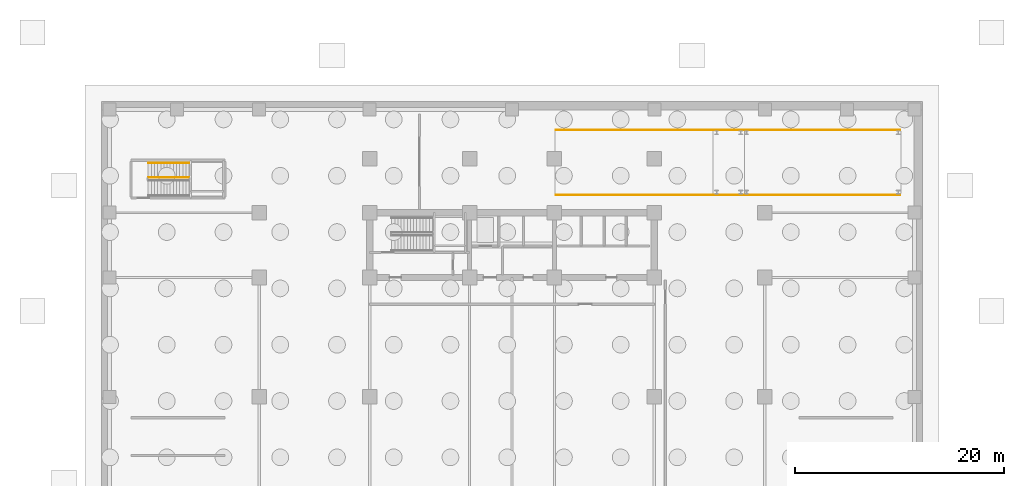
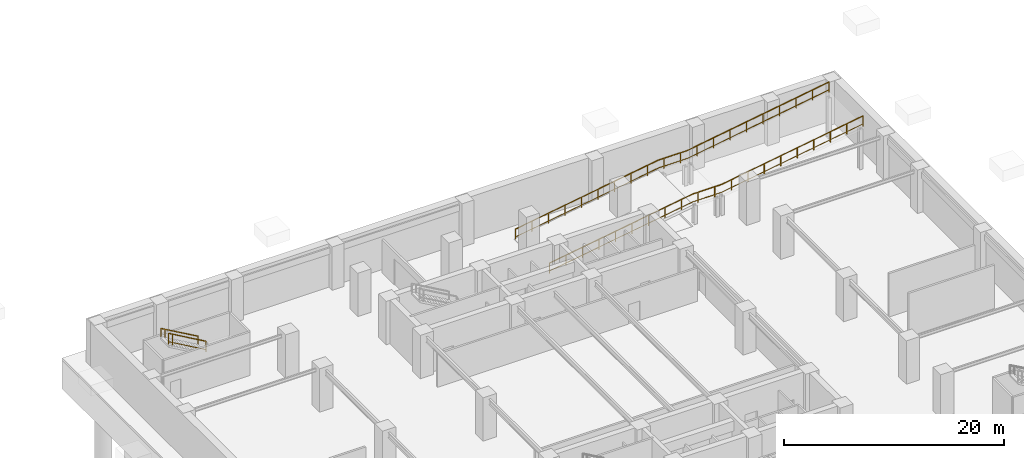
# One storey, part 12 of 13: 4 railings.
"""IFC4 building model written with IfcOpenShell, lengths in metres."""

from ifc_helpers import new_model, si_unit, direction, frame, origin, origin_2d, place, context, subcontext, project, spatial, rectangle, extrude, material, type_object, element, save


model = new_model("IFC4")

# Units and contexts
model_context = context("Model", 3, precision=1e-05, world=origin(), true_north=direction((0.0, 1.0)))
body_context = subcontext(model_context, "Body", "Model", "MODEL_VIEW")
ifc_project = project(units=[si_unit("LENGTHUNIT", "METRE"), si_unit("AREAUNIT", "SQUARE_METRE"), si_unit("VOLUMEUNIT", "CUBIC_METRE"), si_unit("PLANEANGLEUNIT", "RADIAN"), si_unit("MASSUNIT", "GRAM", prefix="KILO")], contexts=[model_context])

# Site, building, storey
site_placement = place(None, origin())
site = spatial("IfcSite", under=ifc_project, at=site_placement, CompositionType="ELEMENT")
building_placement = place(site_placement, origin())
building = spatial("IfcBuilding", under=site, at=building_placement, Name="Svetorya Sky Lyceum", CompositionType="ELEMENT")
storey_placement = place(building_placement, frame((0.0, 0.0, -4.800048828125)))
storey = spatial("IfcBuildingStorey", under=building, at=storey_placement, Name="B01", CompositionType="ELEMENT", Elevation=-4.800048828125)

# Railings
ifc_material_1 = material(Name="Powder-coated galvanized Steel S355", Category="steel")
railing_type_1 = type_object("IfcRailingType", Name="RL-RAMP-1150", PredefinedType="GUARDRAIL", material=ifc_material_1)
railing_1_placement = place(storey_placement, frame((43.39990234375, 47.5, 0.0)))
element("IfcRailing", 1, at=railing_1_placement, inside=storey, type_object=railing_type_1, Name="Vehicle Ramp Guard S", PredefinedType="GUARDRAIL", context=body_context, shape_type="SweptSolid", body=[
    extrude(rectangle(XDim=0.048095703125, YDim=0.048095703125, at=origin_2d()), frame((0.0, 0.0, 1.1259765625), z_axis=(0.98743912751, 0.0, 0.157999903362), x_axis=(0.0, 1.0, 0.0)), (0.0, 0.0, 1.0), 15.19091796875),
    extrude(rectangle(XDim=0.02392578125, YDim=0.02392578125, at=origin_2d()), frame((0.0, 0.0, 0.25), z_axis=(0.98743912751, 0.0, 0.157999903362), x_axis=(0.0, 1.0, 0.0)), (0.0, 0.0, 1.0), 15.19091796875),
    extrude(rectangle(XDim=0.048095703125, YDim=0.048095703125, at=origin_2d()), frame((15.0, 0.0, 3.52587890625), z_axis=(1.0, 0.0, 0.0), x_axis=(0.0, 1.0, 0.0)), (0.0, 0.0, 1.0), 3.0),
    extrude(rectangle(XDim=0.02392578125, YDim=0.02392578125, at=origin_2d()), frame((15.0, 0.0, 2.650146484375), z_axis=(1.0, 0.0, 0.0), x_axis=(0.0, 1.0, 0.0)), (0.0, 0.0, 1.0), 3.0),
    extrude(rectangle(XDim=0.048095703125, YDim=0.048095703125, at=origin_2d()), frame((18.0, 0.0, 3.52587890625), z_axis=(0.987191692616, 0.0, 0.159538591037), x_axis=(0.0, 1.0, 0.0)), (0.0, 0.0, 1.0), 15.042724609375),
    extrude(rectangle(XDim=0.02392578125, YDim=0.02392578125, at=origin_2d()), frame((18.0, 0.0, 2.650146484375), z_axis=(0.987191692616, 0.0, 0.159538591037), x_axis=(0.0, 1.0, 0.0)), (0.0, 0.0, 1.0), 15.042724609375),
    extrude(rectangle(XDim=0.0419921875, YDim=0.0419921875, at=origin_2d()), origin(), (0.0, 0.0, 1.0), 1.101806640625),
    extrude(rectangle(XDim=0.0419921875, YDim=0.0419921875, at=origin_2d()), frame((1.72802734375, 0.0, 0.276611328125)), (0.0, 0.0, 1.0), 1.101806640625),
    extrude(rectangle(XDim=0.0419921875, YDim=0.0419921875, at=origin_2d()), frame((3.4560546875, 0.0, 0.552978515625)), (0.0, 0.0, 1.0), 1.101806640625),
    extrude(rectangle(XDim=0.0419921875, YDim=0.0419921875, at=origin_2d()), frame((5.18408203125, 0.0, 0.82958984375)), (0.0, 0.0, 1.0), 1.101806640625),
    extrude(rectangle(XDim=0.0419921875, YDim=0.0419921875, at=origin_2d()), frame((6.912109375, 0.0, 1.10595703125)), (0.0, 0.0, 1.0), 1.101806640625),
    extrude(rectangle(XDim=0.0419921875, YDim=0.0419921875, at=origin_2d()), frame((8.64013671875, 0.0, 1.382568359375)), (0.0, 0.0, 1.0), 1.101806640625),
    extrude(rectangle(XDim=0.0419921875, YDim=0.0419921875, at=origin_2d()), frame((10.3681640625, 0.0, 1.658935546875)), (0.0, 0.0, 1.0), 1.101806640625),
    extrude(rectangle(XDim=0.0419921875, YDim=0.0419921875, at=origin_2d()), frame((12.09619140625, 0.0, 1.935546875)), (0.0, 0.0, 1.0), 1.101806640625),
    extrude(rectangle(XDim=0.0419921875, YDim=0.0419921875, at=origin_2d()), frame((13.82421875, 0.0, 2.2119140625)), (0.0, 0.0, 1.0), 1.101806640625),
    extrude(rectangle(XDim=0.0419921875, YDim=0.0419921875, at=origin_2d()), frame((15.55908203125, 0.0, 2.400146484375)), (0.0, 0.0, 1.0), 1.101806640625),
    extrude(rectangle(XDim=0.0419921875, YDim=0.0419921875, at=origin_2d()), frame((17.30908203125, 0.0, 2.400146484375)), (0.0, 0.0, 1.0), 1.101806640625),
    extrude(rectangle(XDim=0.0419921875, YDim=0.0419921875, at=origin_2d()), frame((19.045654296875, 0.0, 2.569091796875)), (0.0, 0.0, 1.0), 1.101806640625),
    extrude(rectangle(XDim=0.0419921875, YDim=0.0419921875, at=origin_2d()), frame((20.773193359375, 0.0, 2.848388671875)), (0.0, 0.0, 1.0), 1.101806640625),
    extrude(rectangle(XDim=0.0419921875, YDim=0.0419921875, at=origin_2d()), frame((22.500732421875, 0.0, 3.12744140625)), (0.0, 0.0, 1.0), 1.101806640625),
    extrude(rectangle(XDim=0.0419921875, YDim=0.0419921875, at=origin_2d()), frame((24.228271484375, 0.0, 3.40673828125)), (0.0, 0.0, 1.0), 1.101806640625),
    extrude(rectangle(XDim=0.0419921875, YDim=0.0419921875, at=origin_2d()), frame((25.9560546875, 0.0, 3.685791015625)), (0.0, 0.0, 1.0), 1.101806640625),
    extrude(rectangle(XDim=0.0419921875, YDim=0.0419921875, at=origin_2d()), frame((27.68359375, 0.0, 3.965087890625)), (0.0, 0.0, 1.0), 1.101806640625),
    extrude(rectangle(XDim=0.0419921875, YDim=0.0419921875, at=origin_2d()), frame((29.4111328125, 0.0, 4.244384765625)), (0.0, 0.0, 1.0), 1.101806640625),
    extrude(rectangle(XDim=0.0419921875, YDim=0.0419921875, at=origin_2d()), frame((31.138671875, 0.0, 4.5234375)), (0.0, 0.0, 1.0), 1.101806640625),
    extrude(rectangle(XDim=0.0419921875, YDim=0.0419921875, at=origin_2d()), frame((32.85009765625, 0.0, 4.800048828125)), (0.0, 0.0, 1.0), 1.101806640625),
])
railing_2_placement = place(storey_placement, frame((43.39990234375, 53.699951171875, 0.0)))
element("IfcRailing", 2, at=railing_2_placement, inside=storey, type_object=railing_type_1, Name="Vehicle Ramp Guard N", PredefinedType="GUARDRAIL", context=body_context, shape_type="SweptSolid", body=[
    extrude(rectangle(XDim=0.048095703125, YDim=0.048095703125, at=origin_2d()), frame((0.0, 0.0, 1.1259765625), z_axis=(0.98743912751, 0.0, 0.157999903362), x_axis=(0.0, 1.0, 0.0)), (0.0, 0.0, 1.0), 15.19091796875),
    extrude(rectangle(XDim=0.02392578125, YDim=0.02392578125, at=origin_2d()), frame((0.0, 0.0, 0.25), z_axis=(0.98743912751, 0.0, 0.157999903362), x_axis=(0.0, 1.0, 0.0)), (0.0, 0.0, 1.0), 15.19091796875),
    extrude(rectangle(XDim=0.048095703125, YDim=0.048095703125, at=origin_2d()), frame((15.0, 0.0, 3.52587890625), z_axis=(1.0, 0.0, 0.0), x_axis=(0.0, 1.0, 0.0)), (0.0, 0.0, 1.0), 3.0),
    extrude(rectangle(XDim=0.02392578125, YDim=0.02392578125, at=origin_2d()), frame((15.0, 0.0, 2.650146484375), z_axis=(1.0, 0.0, 0.0), x_axis=(0.0, 1.0, 0.0)), (0.0, 0.0, 1.0), 3.0),
    extrude(rectangle(XDim=0.048095703125, YDim=0.048095703125, at=origin_2d()), frame((18.0, 0.0, 3.52587890625), z_axis=(0.987191692616, 0.0, 0.159538591037), x_axis=(0.0, 1.0, 0.0)), (0.0, 0.0, 1.0), 15.042724609375),
    extrude(rectangle(XDim=0.02392578125, YDim=0.02392578125, at=origin_2d()), frame((18.0, 0.0, 2.650146484375), z_axis=(0.987191692616, 0.0, 0.159538591037), x_axis=(0.0, 1.0, 0.0)), (0.0, 0.0, 1.0), 15.042724609375),
    extrude(rectangle(XDim=0.0419921875, YDim=0.0419921875, at=origin_2d()), origin(), (0.0, 0.0, 1.0), 1.101806640625),
    extrude(rectangle(XDim=0.0419921875, YDim=0.0419921875, at=origin_2d()), frame((1.72802734375, 0.0, 0.276611328125)), (0.0, 0.0, 1.0), 1.101806640625),
    extrude(rectangle(XDim=0.0419921875, YDim=0.0419921875, at=origin_2d()), frame((3.4560546875, 0.0, 0.552978515625)), (0.0, 0.0, 1.0), 1.101806640625),
    extrude(rectangle(XDim=0.0419921875, YDim=0.0419921875, at=origin_2d()), frame((5.18408203125, 0.0, 0.82958984375)), (0.0, 0.0, 1.0), 1.101806640625),
    extrude(rectangle(XDim=0.0419921875, YDim=0.0419921875, at=origin_2d()), frame((6.912109375, 0.0, 1.10595703125)), (0.0, 0.0, 1.0), 1.101806640625),
    extrude(rectangle(XDim=0.0419921875, YDim=0.0419921875, at=origin_2d()), frame((8.64013671875, 0.0, 1.382568359375)), (0.0, 0.0, 1.0), 1.101806640625),
    extrude(rectangle(XDim=0.0419921875, YDim=0.0419921875, at=origin_2d()), frame((10.3681640625, 0.0, 1.658935546875)), (0.0, 0.0, 1.0), 1.101806640625),
    extrude(rectangle(XDim=0.0419921875, YDim=0.0419921875, at=origin_2d()), frame((12.09619140625, 0.0, 1.935546875)), (0.0, 0.0, 1.0), 1.101806640625),
    extrude(rectangle(XDim=0.0419921875, YDim=0.0419921875, at=origin_2d()), frame((13.82421875, 0.0, 2.2119140625)), (0.0, 0.0, 1.0), 1.101806640625),
    extrude(rectangle(XDim=0.0419921875, YDim=0.0419921875, at=origin_2d()), frame((15.55908203125, 0.0, 2.400146484375)), (0.0, 0.0, 1.0), 1.101806640625),
    extrude(rectangle(XDim=0.0419921875, YDim=0.0419921875, at=origin_2d()), frame((17.30908203125, 0.0, 2.400146484375)), (0.0, 0.0, 1.0), 1.101806640625),
    extrude(rectangle(XDim=0.0419921875, YDim=0.0419921875, at=origin_2d()), frame((19.045654296875, 0.0, 2.569091796875)), (0.0, 0.0, 1.0), 1.101806640625),
    extrude(rectangle(XDim=0.0419921875, YDim=0.0419921875, at=origin_2d()), frame((20.773193359375, 0.0, 2.848388671875)), (0.0, 0.0, 1.0), 1.101806640625),
    extrude(rectangle(XDim=0.0419921875, YDim=0.0419921875, at=origin_2d()), frame((22.500732421875, 0.0, 3.12744140625)), (0.0, 0.0, 1.0), 1.101806640625),
    extrude(rectangle(XDim=0.0419921875, YDim=0.0419921875, at=origin_2d()), frame((24.228271484375, 0.0, 3.40673828125)), (0.0, 0.0, 1.0), 1.101806640625),
    extrude(rectangle(XDim=0.0419921875, YDim=0.0419921875, at=origin_2d()), frame((25.9560546875, 0.0, 3.685791015625)), (0.0, 0.0, 1.0), 1.101806640625),
    extrude(rectangle(XDim=0.0419921875, YDim=0.0419921875, at=origin_2d()), frame((27.68359375, 0.0, 3.965087890625)), (0.0, 0.0, 1.0), 1.101806640625),
    extrude(rectangle(XDim=0.0419921875, YDim=0.0419921875, at=origin_2d()), frame((29.4111328125, 0.0, 4.244384765625)), (0.0, 0.0, 1.0), 1.101806640625),
    extrude(rectangle(XDim=0.0419921875, YDim=0.0419921875, at=origin_2d()), frame((31.138671875, 0.0, 4.5234375)), (0.0, 0.0, 1.0), 1.101806640625),
    extrude(rectangle(XDim=0.0419921875, YDim=0.0419921875, at=origin_2d()), frame((32.85009765625, 0.0, 4.800048828125)), (0.0, 0.0, 1.0), 1.101806640625),
])
ifc_material_2 = material(Name="Painted galvanized stair well guard")
railing_type_2 = type_object("IfcRailingType", Name="RL-STR-GUARD-1200", PredefinedType="GUARDRAIL", material=ifc_material_2)
railing_3_placement = place(storey_placement, frame((8.35009765625, 49.14990234375, 2.571533203125)))
element("IfcRailing", 3, at=railing_3_placement, inside=storey, type_object=railing_type_2, Name="B01 ST-B1 stair guard 3", PredefinedType="GUARDRAIL", context=body_context, shape_type="SweptSolid", body=[
    extrude(rectangle(XDim=0.048095703125, YDim=0.048095703125, at=origin_2d()), frame((0.0, 0.0, 1.17578125), z_axis=(-0.868256520506, 0.0, 0.496115525457), x_axis=(0.0, -1.0, 0.0)), (0.0, 0.0, 1.0), 4.491943359375),
    extrude(rectangle(XDim=0.02392578125, YDim=0.02392578125, at=origin_2d()), frame((0.0, 0.0, 0.25), z_axis=(-0.868256520506, 0.0, 0.496115525457), x_axis=(0.0, -1.0, 0.0)), (0.0, 0.0, 1.0), 4.491943359375),
    extrude(rectangle(XDim=0.0419921875, YDim=0.0419921875, at=origin_2d()), origin(), (0.0, 0.0, 1.0), 1.15185546875),
    extrude(rectangle(XDim=0.0419921875, YDim=0.0419921875, at=origin_2d()), frame((-3.47314453125, 0.0, 1.984375)), (0.0, 0.0, 1.0), 1.15185546875),
    extrude(rectangle(XDim=0.0419921875, YDim=0.0419921875, at=origin_2d()), frame((-3.900146484375, 0.0, 2.228515625)), (0.0, 0.0, 1.0), 1.15185546875),
])
ifc_material_3 = material(Name="Brushed stainless AISI 304 stair handrail")
railing_type_3 = type_object("IfcRailingType", Name="RL-STR-HAND-920", PredefinedType="HANDRAIL", material=ifc_material_3)
railing_4_placement = place(storey_placement, frame((8.35009765625, 50.550048828125, 2.571533203125)))
element("IfcRailing", 4, at=railing_4_placement, inside=storey, type_object=railing_type_3, Name="B01 ST-B1 stair handrail 2", PredefinedType="HANDRAIL", context=body_context, shape_type="SweptSolid", body=[
    extrude(rectangle(XDim=0.048095703125, YDim=0.048095703125, at=origin_2d()), frame((0.0, 0.0, 0.8759765625), z_axis=(-0.868256520506, 0.0, 0.496115525457), x_axis=(0.0, -1.0, 0.0)), (0.0, 0.0, 1.0), 4.491943359375),
    extrude(rectangle(XDim=0.0419921875, YDim=0.0419921875, at=origin_2d()), origin(), (0.0, 0.0, 1.0), 0.851806640625),
    extrude(rectangle(XDim=0.0419921875, YDim=0.0419921875, at=origin_2d()), frame((-3.47314453125, 0.0, 1.984375)), (0.0, 0.0, 1.0), 0.851806640625),
    extrude(rectangle(XDim=0.0419921875, YDim=0.0419921875, at=origin_2d()), frame((-3.900146484375, 0.0, 2.228515625)), (0.0, 0.0, 1.0), 0.851806640625),
])

save(model, "model.ifc")
